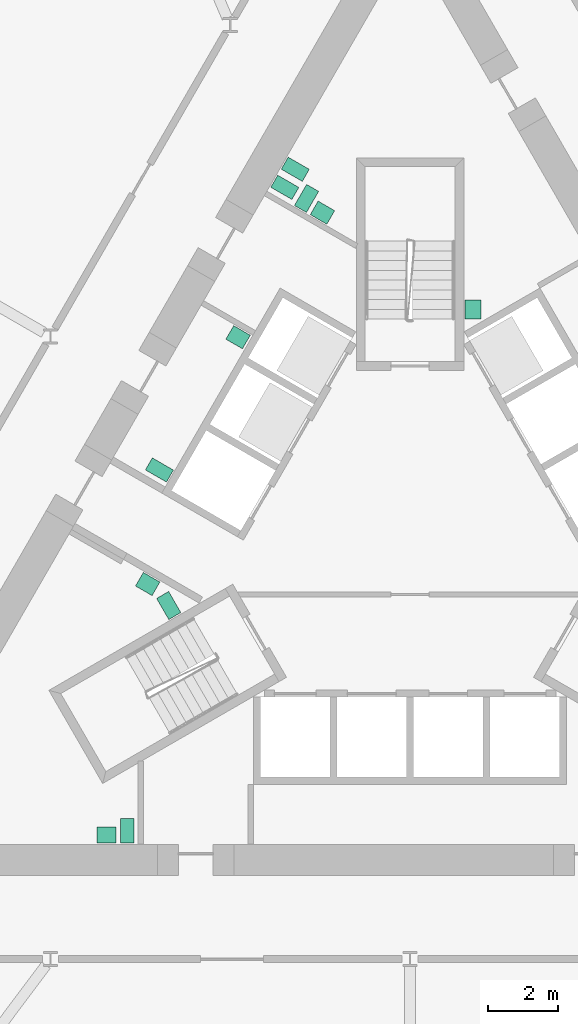
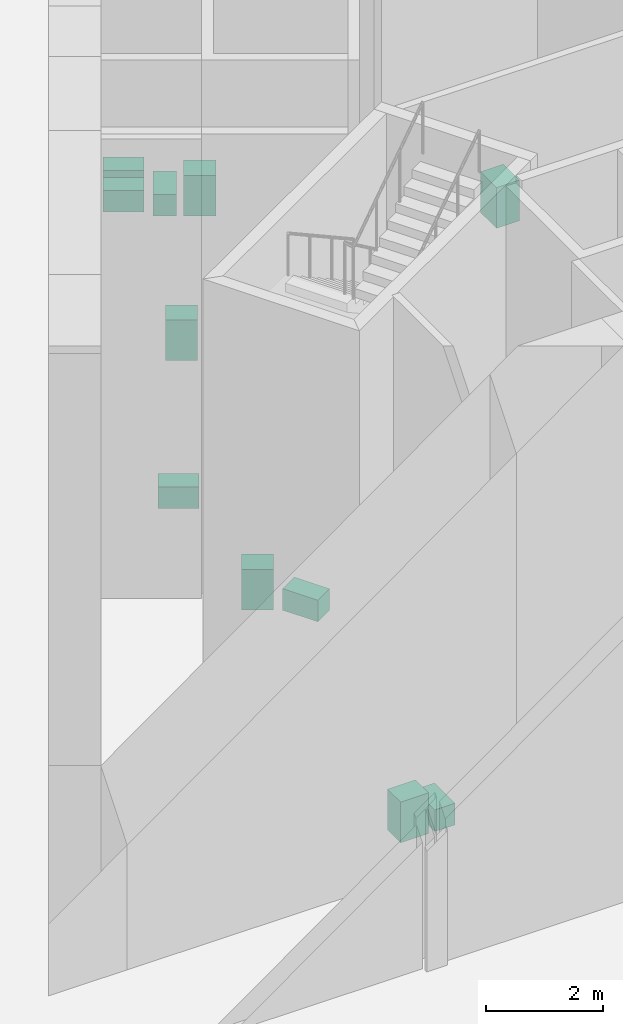
# One storey, part 17 of 18: 11 sanitary terminals.
"""IFC4 building model written with IfcOpenShell, lengths in metres."""

from ifc_helpers import new_model, si_unit, direction, frame, origin, origin_2d, place, context, subcontext, project, spatial, rectangle, extrude, material, type_object, element, save


model = new_model("IFC4")

# Units and contexts
model_context = context("Model", 3, precision=1e-05, world=origin(), true_north=direction((0.0, 1.0)))
body_context = subcontext(model_context, "Body", "Model", "MODEL_VIEW")
ifc_project = project(units=[si_unit("LENGTHUNIT", "METRE"), si_unit("AREAUNIT", "SQUARE_METRE"), si_unit("VOLUMEUNIT", "CUBIC_METRE"), si_unit("PLANEANGLEUNIT", "RADIAN"), si_unit("MASSUNIT", "GRAM", prefix="KILO")], contexts=[model_context])

# Site, building, storey
site_placement = place(None, origin())
site = spatial("IfcSite", under=ifc_project, at=site_placement, CompositionType="ELEMENT")
building_placement = place(site_placement, origin())
building = spatial("IfcBuilding", under=site, at=building_placement, Name="Cormorant Prow Tower", CompositionType="ELEMENT")
storey_placement = place(building_placement, frame((0.0, 0.0, 154.199951171875)))
storey = spatial("IfcBuildingStorey", under=building, at=storey_placement, Name="L33", CompositionType="ELEMENT", Elevation=154.199951171875)

# Sanitary terminals
ifc_material_1 = material(Name="Vitreous china")
sanitary_terminal_type_1 = type_object("IfcSanitaryTerminalType", Name="Wash basin 550x450", PredefinedType="WASHHANDBASIN", material=ifc_material_1)
for number, where, z_axis, x_axis, name in (
    (1, (1.80908203125, 6.73681640625, 0.0), (0.0, 0.0, 1.0), (0.0, -1.0, 0.0), "Wash basin"),
    (2, (-2.51513671875, 9.51611328125, 0.0), (0.0, 0.0, 1.0), (0.866016677006, -0.500015114919, 0.0), "Wash basin"),
    (3, (-7.535400390625, -1.151611328125, 0.0), (0.0, 0.0, 1.0), (-0.866034130299, 0.499984884929, 0.0), "Wash basin"),
    (4, (-8.721923828125, -8.361328125, 0.0), (0.0, 0.0, 1.0), (1.0, 0.0, 0.0), "Wash basin"),
    (5, (-4.93896484375, 5.937255859375, 0.0), (0.0, 0.0, 1.0), (-0.866007949964, 0.500030229685, 0.0), "Wash basin"),
):
    element("IfcSanitaryTerminal", number, at=place(storey_placement, frame(where, z_axis=z_axis, x_axis=x_axis)), inside=storey, type_object=sanitary_terminal_type_1, Name=name, PredefinedType="WASHHANDBASIN", context=body_context, shape_type="SweptSolid", body=[
        extrude(rectangle(XDim=0.550048828125, YDim=0.449951171875, at=origin_2d()), origin(), (0.0, 0.0, 1.0), 0.85009765625),
    ])
ifc_material_2 = material(Name="Vitreous china")
sanitary_terminal_type_2 = type_object("IfcSanitaryTerminalType", Name="Water closet 400x700", PredefinedType="WCSEAT", material=ifc_material_2)
for number, where, z_axis, x_axis, name in (
    (6, (-3.596923828125, 10.24267578125, 0.0), (0.0, 0.0, 1.0), (-0.5, -0.866025403784, 0.0), "Water closet"),
    (7, (-3.296875, 10.76220703125, 0.0), (0.0, 0.0, 1.0), (-0.5, -0.866025403784, 0.0), "Water closet"),
    (8, (-2.972412109375, 9.92431640625, 0.0), (0.0, 0.0, 1.0), (0.866016677006, -0.500015114919, 0.0), "Water closet"),
    (9, (-6.93115234375, -1.7685546875, 0.0), (0.0, 0.0, 1.0), (0.866016677006, 0.500015114919, 0.0), "Water closet"),
    (10, (-8.121826171875, -8.236328125, 0.0), (0.0, 0.0, 1.0), (1.0, 0.0, 0.0), "Water closet"),
    (11, (-7.198486328125, 2.123779296875, 0.0), (0.0, 0.0, 1.0), (0.5, 0.866025403784, 0.0), "Water closet"),
):
    element("IfcSanitaryTerminal", number, at=place(storey_placement, frame(where, z_axis=z_axis, x_axis=x_axis)), inside=storey, type_object=sanitary_terminal_type_2, Name=name, PredefinedType="WCSEAT", context=body_context, shape_type="SweptSolid", body=[
        extrude(rectangle(XDim=0.39990234375, YDim=0.699951171875, at=origin_2d()), origin(), (0.0, 0.0, 1.0), 0.449951171875),
    ])

save(model, "model.ifc")
